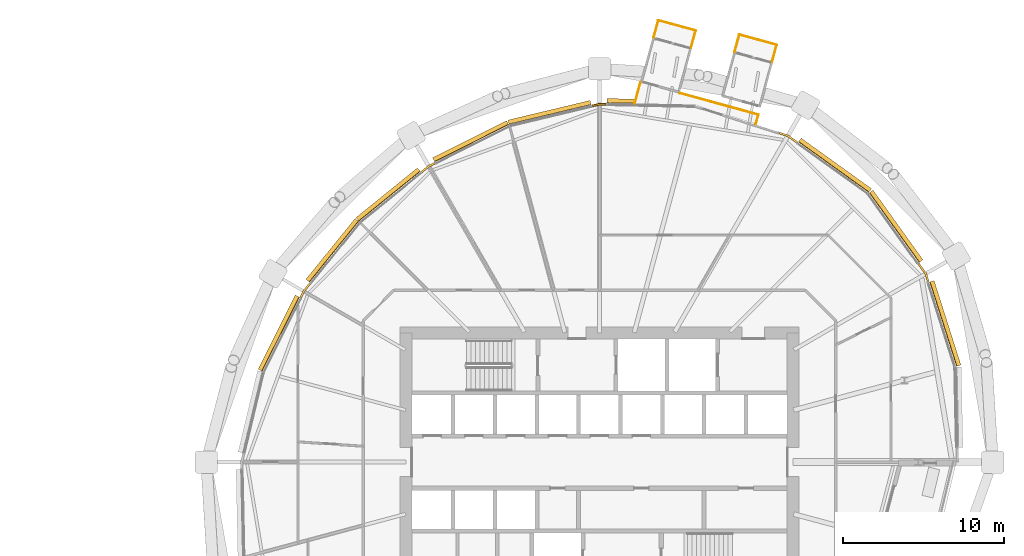
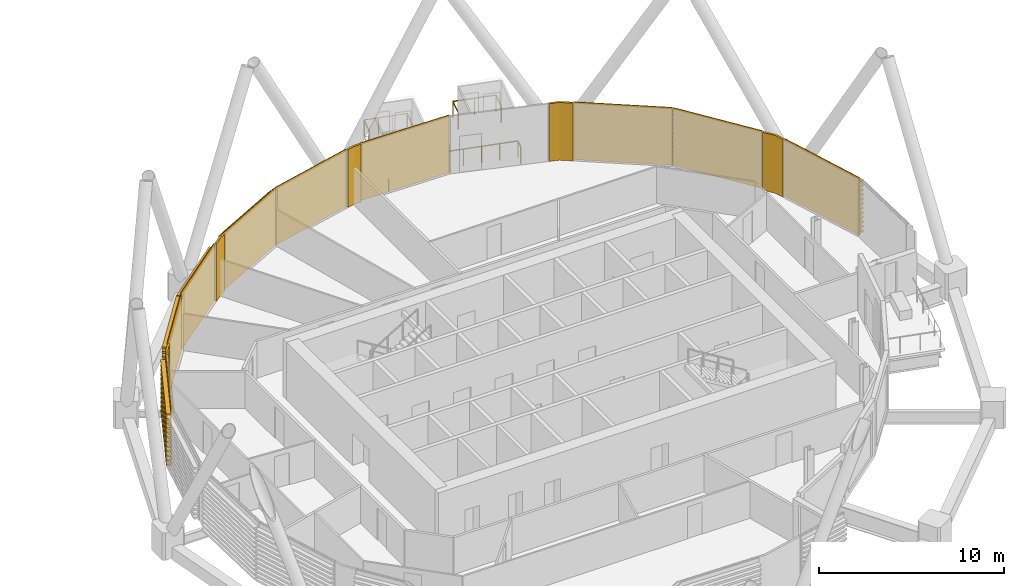
# One storey, part 37 of 38: 14 coverings, 9 railings.
"""IFC4 building model written with IfcOpenShell, lengths in metres."""

import ifcopenshell
import ifcopenshell.guid

model = None  # the IFC model being written
_history = None  # IfcOwnerHistory: only IFC2X3 demands one
_inside = {}  # id of a spatial element -> (the spatial element, [elements in it])
_under = {}  # id of a project, library or spatial element -> (it, [spatial elements below it])
_declared = {}  # id of a project -> (the project, [libraries it declares])
_typed = {}  # id of a type object -> (the type object, [elements of that type])
_made_of = {}  # id of a material, layer set ... -> (it, [elements and type objects made of it])


def new_model(schema):
    """Start an empty IFC model of exactly this schema.

    Asked for "IFC4X3", IfcOpenShell would pick the latest addendum, in which some entities
    have other attributes; the version numbers below select the first issue.
    IFC2X3 requires an IfcOwnerHistory on every rooted entity: one is made here for all.
    """
    global model, _history
    if schema == "IFC4X3":
        model = ifcopenshell.file(schema_version=(4, 3, 0, 0))
    else:
        model = ifcopenshell.file(schema=schema)
    _inside.clear()
    _under.clear()
    _declared.clear()
    _typed.clear()
    _made_of.clear()
    _history = None
    if model.schema == "IFC2X3":
        org = make("IfcOrganization", Name="unknown")
        user = make(
            "IfcPersonAndOrganization",
            ThePerson=make("IfcPerson", FamilyName="unknown"),
            TheOrganization=org,
        )
        app = make(
            "IfcApplication",
            ApplicationDeveloper=org,
            Version="unknown",
            ApplicationFullName="unknown",
            ApplicationIdentifier="unknown",
        )
        _history = make(
            "IfcOwnerHistory",
            OwningUser=user,
            OwningApplication=app,
            ChangeAction="ADDED",
            CreationDate=0,
        )
    return model


def make(cls, **values):
    """One entity of the class cls with the attributes given. An attribute that is None is left unset."""
    return model.create_entity(
        cls, **{name: value for name, value in values.items() if value is not None}
    )


def rooted(cls, **values):
    """An entity with a GlobalId (a new one), such as an element, a storey or a relation."""
    return make(cls, GlobalId=ifcopenshell.guid.new(), OwnerHistory=_history, **values)


def si_unit(unit_type, name, prefix=None):
    """IfcSIUnit, for example si_unit("LENGTHUNIT", "METRE", prefix="MILLI")."""
    return make("IfcSIUnit", UnitType=unit_type, Prefix=prefix, Name=name)


def assignment(units):
    """IfcUnitAssignment: the units of a project."""
    return None if units is None else make("IfcUnitAssignment", Units=units)


def point(xyz):
    """IfcCartesianPoint."""
    return None if xyz is None else make("IfcCartesianPoint", Coordinates=xyz)


def direction(xyz):
    """IfcDirection."""
    return None if xyz is None else make("IfcDirection", DirectionRatios=xyz)


def frame(location, z_axis=None, x_axis=None):
    """IfcAxis2Placement3D, a coordinate frame: its origin and axes. An axis left out is left unset."""
    return make(
        "IfcAxis2Placement3D",
        Location=point(location),
        Axis=direction(z_axis),
        RefDirection=direction(x_axis),
    )


def frame_2d(location, x_axis=None):
    """IfcAxis2Placement2D, a coordinate frame in the plane: its origin and x axis."""
    return make(
        "IfcAxis2Placement2D", Location=point(location), RefDirection=direction(x_axis)
    )


def origin():
    """The frame at (0, 0, 0) with its axes left unset."""
    return frame((0.0, 0.0, 0.0))


def origin_2d():
    """The frame at (0, 0) in the plane with its x axis left unset."""
    return frame_2d((0.0, 0.0))


def place(relative_to, where):
    """IfcLocalPlacement: puts the frame where relative to a parent placement (None: the world)."""
    return make(
        "IfcLocalPlacement", PlacementRelTo=relative_to, RelativePlacement=where
    )


def context(
    kind, dimensions, precision=None, world=None, true_north=None, identifier=None
):
    """IfcGeometricRepresentationContext, for example the 3D "Model" context."""
    return make(
        "IfcGeometricRepresentationContext",
        ContextIdentifier=identifier,
        ContextType=kind,
        CoordinateSpaceDimension=dimensions,
        Precision=precision,
        WorldCoordinateSystem=world,
        TrueNorth=true_north,
    )


def subcontext(parent, identifier, kind, view, scale=None):
    """IfcGeometricRepresentationSubContext, for example "Body" below "Model"."""
    return make(
        "IfcGeometricRepresentationSubContext",
        ContextIdentifier=identifier,
        ContextType=kind,
        ParentContext=parent,
        TargetScale=scale,
        TargetView=view,
    )


def project(units=None, contexts=None):
    """IfcProject with its units and contexts."""
    return rooted(
        "IfcProject",
        Name="project",
        RepresentationContexts=contexts,
        UnitsInContext=assignment(units),
    )


def spatial(cls, under=None, at=None, **own):
    """A site, building, storey or space (cls), placed at a placement, below another one or the project."""
    s = rooted(cls, ObjectPlacement=at, **own)
    if under is not None:
        _under.setdefault(under.id(), (under, []))[1].append(s)
    return s


def polyline(points):
    """IfcPolyline through the points."""
    return make("IfcPolyline", Points=[point(p) for p in points])


def profile(cls, at=None, kind="AREA", **sizes):
    """A parametric profile (cls). Its sizes go by their IFC names, for example OverallWidth=200.0."""
    return make(cls, ProfileType=kind, Position=at, **sizes)


def circle(**sizes):
    """IfcCircleProfileDef."""
    return profile("IfcCircleProfileDef", **sizes)


def outline(outer, holes=None, kind="AREA"):
    """IfcArbitraryClosedProfileDef: a profile drawn as a closed curve; with holes, ...WithVoids."""
    if holes is None:
        return make("IfcArbitraryClosedProfileDef", ProfileType=kind, OuterCurve=outer)
    return make(
        "IfcArbitraryProfileDefWithVoids",
        ProfileType=kind,
        OuterCurve=outer,
        InnerCurves=holes,
    )


def extrude(swept, where, along, depth):
    """IfcExtrudedAreaSolid: the profile swept, set in the frame where, extruded along a direction by depth."""
    return make(
        "IfcExtrudedAreaSolid",
        SweptArea=swept,
        Position=where,
        ExtrudedDirection=direction(along),
        Depth=depth,
    )


def shape(context_of_items, identifier, shape_type, items):
    """IfcShapeRepresentation: the items that make up one representation, for example the "Body"."""
    return make(
        "IfcShapeRepresentation",
        ContextOfItems=context_of_items,
        RepresentationIdentifier=identifier,
        RepresentationType=shape_type,
        Items=items,
    )


def material(Name=None, Category=None):
    """IfcMaterial."""
    return make("IfcMaterial", Name=Name, Category=Category)


def layer(
    of_material, thickness, ventilated=None, Name=None, Category=None, Priority=None
):
    """IfcMaterialLayer: one layer of a wall or slab, of a material (None: an air gap)."""
    return make(
        "IfcMaterialLayer",
        Material=of_material,
        LayerThickness=thickness,
        IsVentilated=ventilated,
        Name=Name,
        Category=Category,
        Priority=Priority,
    )


def layer_set(layers, Name=None):
    """IfcMaterialLayerSet."""
    return make("IfcMaterialLayerSet", MaterialLayers=layers, LayerSetName=Name)


def material_profile(
    of_material, cross_section, Name=None, Category=None, Priority=None
):
    """IfcMaterialProfile: a cross section and its material."""
    return make(
        "IfcMaterialProfile",
        Name=Name,
        Material=of_material,
        Profile=cross_section,
        Priority=Priority,
        Category=Category,
    )


def profile_set(profiles, Name=None, composite=None):
    """IfcMaterialProfileSet."""
    return make(
        "IfcMaterialProfileSet",
        Name=Name,
        MaterialProfiles=profiles,
        CompositeProfile=composite,
    )


def made_of(thing, what):
    """Note that an element or type object is made of a material, layer set ...; save() writes the relation."""
    if what is not None:
        _made_of.setdefault(what.id(), (what, []))[1].append(thing)
    return thing


def type_object(cls, material=None, **own):
    """A type object (cls), such as IfcWallType, which elements share."""
    return made_of(rooted(cls, **own), material)


def element(
    cls,
    number,
    at=None,
    inside=None,
    cuts=None,
    type_object=None,
    material=None,
    context=None,
    identifier="Body",
    shape_type=None,
    held_by="IfcProductDefinitionShape",
    body=None,
    shapes=None,
    **own,
):
    """One element of the class cls, such as IfcWall. Its Tag is "e" and its number.

    at: its placement. inside: the storey or other place that contains it. cuts: it is an
    opening in that element (IfcRelVoidsElement). A single representation is given by context,
    identifier, shape_type and body (its items); several are given by shapes. held_by: the class
    of the entity that holds the representations. save() writes the other relations.
    """
    e = rooted(cls, Tag="e%d" % number, ObjectPlacement=at, **own)
    if body is not None:
        shapes = [shape(context, identifier, shape_type, body)]
    if shapes is not None:
        e.Representation = make(held_by, Representations=shapes)
    if inside is not None:
        _inside.setdefault(inside.id(), (inside, []))[1].append(e)
    if cuts is not None:
        rooted(
            "IfcRelVoidsElement", RelatingBuildingElement=cuts, RelatedOpeningElement=e
        )
    if type_object is not None:
        _typed.setdefault(type_object.id(), (type_object, []))[1].append(e)
    return made_of(e, material)


def aggregate(whole, parts):
    """IfcRelAggregates: a whole, such as a stair, and the parts it consists of."""
    return rooted("IfcRelAggregates", RelatingObject=whole, RelatedObjects=parts)


def save(model, path):
    """Write the relations noted so far, then the file.

    IfcRelAggregates (storeys below a building ...), IfcRelContainedInSpatialStructure (elements
    in a storey), IfcRelDefinesByType, IfcRelAssociatesMaterial and IfcRelDeclares: one each for
    every whole, place, type object, material and project.
    """
    for whole, parts in _under.values():
        aggregate(whole, parts)
    for where, things in _inside.values():
        rooted(
            "IfcRelContainedInSpatialStructure",
            RelatedElements=things,
            RelatingStructure=where,
        )
    for kind, things in _typed.values():
        rooted("IfcRelDefinesByType", RelatedObjects=things, RelatingType=kind)
    for what, things in _made_of.values():
        rooted("IfcRelAssociatesMaterial", RelatedObjects=things, RelatingMaterial=what)
    for by, libraries in _declared.values():
        rooted("IfcRelDeclares", RelatingContext=by, RelatedDefinitions=libraries)
    model.write(path)


model = new_model("IFC4")

# Units and contexts
model_context = context("Model", 3, precision=1e-05, world=origin(), true_north=direction((0.0, 1.0)))
body_context = subcontext(model_context, "Body", "Model", "MODEL_VIEW")
ifc_project = project(units=[si_unit("LENGTHUNIT", "METRE"), si_unit("AREAUNIT", "SQUARE_METRE"), si_unit("VOLUMEUNIT", "CUBIC_METRE"), si_unit("PLANEANGLEUNIT", "RADIAN"), si_unit("MASSUNIT", "GRAM", prefix="KILO")], contexts=[model_context])

# Site, building, storey
site_placement = place(None, origin())
site = spatial("IfcSite", under=ifc_project, at=site_placement, CompositionType="ELEMENT")
building_placement = place(site_placement, origin())
building = spatial("IfcBuilding", under=site, at=building_placement, Name="Rimbun Link Towers", CompositionType="ELEMENT")
storey_placement = place(building_placement, frame((0.0, 0.0, 93.0)))
storey = spatial("IfcBuildingStorey", under=building, at=storey_placement, Name="L22", CompositionType="ELEMENT", Elevation=93.0)

# Railings
ifc_material_1 = material(Name="Stainless steel grade 316", Category="steel")
railing_type = type_object("IfcRailingType", Name="GUARD stainless rail and posts", PredefinedType="GUARDRAIL", material=ifc_material_1)
railing_1_placement = place(storey_placement, frame((37.418212890625, 25.691162109375, 0.0)))
element("IfcRailing", 1, at=railing_1_placement, inside=storey, type_object=railing_type, Name="GUARD D222.01 balcony", PredefinedType="GUARDRAIL", context=body_context, shape_type="SweptSolid", body=[
    extrude(circle(Radius=0.02392578125, at=origin_2d()), frame((0.0, 0.0, 1.076171875), z_axis=(0.26497594841, 0.964255021643, 0.0), x_axis=(-0.964255021643, 0.26497594841, 0.0)), (0.0, 0.0, 1.0), 1.10009765625),
    extrude(circle(Radius=0.02099609375, at=origin_2d()), origin(), (0.0, 0.0, 1.0), 1.052001953125),
    extrude(circle(Radius=0.02099609375, at=origin_2d()), frame((0.29150390625, 1.060791015625, 0.0)), (0.0, 0.0, 1.0), 1.052001953125),
])
railing_2_placement = place(storey_placement, frame((37.709716796875, 26.751953125, 0.0)))
element("IfcRailing", 2, at=railing_2_placement, inside=storey, type_object=railing_type, Name="GUARD D222.01 balcony", PredefinedType="GUARDRAIL", context=body_context, shape_type="SweptSolid", body=[
    extrude(circle(Radius=0.02392578125, at=origin_2d()), frame((0.0, 0.0, 1.076171875), z_axis=(-0.964283368095, 0.264872773262, 0.0), x_axis=(-0.264872773262, -0.964283368095, 0.0)), (0.0, 0.0, 1.0), 2.400146484375),
    extrude(circle(Radius=0.02099609375, at=origin_2d()), origin(), (0.0, 0.0, 1.0), 1.052001953125),
    extrude(circle(Radius=0.02099609375, at=origin_2d()), frame((-0.771484375, 0.2119140625, 0.0)), (0.0, 0.0, 1.0), 1.052001953125),
    extrude(circle(Radius=0.02099609375, at=origin_2d()), frame((-1.54296875, 0.423828125, 0.0)), (0.0, 0.0, 1.0), 1.052001953125),
    extrude(circle(Radius=0.02099609375, at=origin_2d()), frame((-2.314453125, 0.6357421875, 0.0)), (0.0, 0.0, 1.0), 1.052001953125),
])
railing_3_placement = place(storey_placement, frame((35.395263671875, 27.3876953125, 0.0)))
element("IfcRailing", 3, at=railing_3_placement, inside=storey, type_object=railing_type, Name="GUARD D222.01 balcony", PredefinedType="GUARDRAIL", context=body_context, shape_type="SweptSolid", body=[
    extrude(circle(Radius=0.02392578125, at=origin_2d()), frame((0.0, 0.0, 1.076171875), z_axis=(-0.264769589015, -0.964311705173, 0.0), x_axis=(0.964311705173, -0.264769589015, 0.0)), (0.0, 0.0, 1.0), 1.10009765625),
    extrude(circle(Radius=0.02099609375, at=origin_2d()), origin(), (0.0, 0.0, 1.0), 1.052001953125),
    extrude(circle(Radius=0.02099609375, at=origin_2d()), frame((-0.291259765625, -1.060791015625, 0.0)), (0.0, 0.0, 1.0), 1.052001953125),
])
railing_4_placement = place(storey_placement, frame((42.440673828125, 24.8046875, 0.0)))
element("IfcRailing", 4, at=railing_4_placement, inside=storey, type_object=railing_type, Name="GUARD D222.02 balcony", PredefinedType="GUARDRAIL", context=body_context, shape_type="SweptSolid", body=[
    extrude(circle(Radius=0.02392578125, at=origin_2d()), frame((0.0, 0.0, 1.076171875), z_axis=(0.264826265466, 0.964296141815, 0.0), x_axis=(-0.964296141815, 0.264826265466, 0.0)), (0.0, 0.0, 1.0), 1.099853515625),
    extrude(circle(Radius=0.02099609375, at=origin_2d()), origin(), (0.0, 0.0, 1.0), 1.052001953125),
    extrude(circle(Radius=0.02099609375, at=origin_2d()), frame((0.291259765625, 1.060546875, 0.0)), (0.0, 0.0, 1.0), 1.052001953125),
])
railing_5_placement = place(storey_placement, frame((42.73193359375, 25.865234375, 0.0)))
element("IfcRailing", 5, at=railing_5_placement, inside=storey, type_object=railing_type, Name="GUARD D222.02 balcony", PredefinedType="GUARDRAIL", context=body_context, shape_type="SweptSolid", body=[
    extrude(circle(Radius=0.02392578125, at=origin_2d()), frame((0.0, 0.0, 1.076171875), z_axis=(-0.96427623078, 0.264898755665, 0.0), x_axis=(-0.264898755665, -0.96427623078, 0.0)), (0.0, 0.0, 1.0), 2.39990234375),
    extrude(circle(Radius=0.02099609375, at=origin_2d()), origin(), (0.0, 0.0, 1.0), 1.052001953125),
    extrude(circle(Radius=0.02099609375, at=origin_2d()), frame((-1.1572265625, 0.31787109375, 0.0)), (0.0, 0.0, 1.0), 1.052001953125),
    extrude(circle(Radius=0.02099609375, at=origin_2d()), frame((-2.314208984375, 0.6357421875, 0.0)), (0.0, 0.0, 1.0), 1.052001953125),
])
railing_6_placement = place(storey_placement, frame((40.417724609375, 26.5009765625, 0.0)))
element("IfcRailing", 6, at=railing_6_placement, inside=storey, type_object=railing_type, Name="GUARD D222.02 balcony", PredefinedType="GUARDRAIL", context=body_context, shape_type="SweptSolid", body=[
    extrude(circle(Radius=0.02392578125, at=origin_2d()), frame((0.0, 0.0, 1.076171875), z_axis=(-0.264769589015, -0.964311705173, 0.0), x_axis=(0.964311705173, -0.264769589015, 0.0)), (0.0, 0.0, 1.0), 1.10009765625),
    extrude(circle(Radius=0.02099609375, at=origin_2d()), origin(), (0.0, 0.0, 1.0), 1.052001953125),
    extrude(circle(Radius=0.02099609375, at=origin_2d()), frame((-0.291259765625, -1.060791015625, 0.0)), (0.0, 0.0, 1.0), 1.052001953125),
])
railing_7_placement = place(storey_placement, frame((34.28759765625, 23.543701171875, 0.0)))
element("IfcRailing", 7, at=railing_7_placement, inside=storey, type_object=railing_type, Name="GUARD D222 gallery", PredefinedType="GUARDRAIL", context=body_context, shape_type="SweptSolid", body=[
    extrude(circle(Radius=0.02392578125, at=origin_2d()), frame((0.0, 0.0, 1.076171875), z_axis=(-0.264756229675, -0.964315373126, 0.0), x_axis=(0.964315373126, -0.264756229675, 0.0)), (0.0, 0.0, 1.0), 1.361083984375),
    extrude(circle(Radius=0.02099609375, at=origin_2d()), origin(), (0.0, 0.0, 1.0), 1.052001953125),
    extrude(circle(Radius=0.02099609375, at=origin_2d()), frame((-0.18017578125, -0.65625, 0.0)), (0.0, 0.0, 1.0), 1.052001953125),
    extrude(circle(Radius=0.02099609375, at=origin_2d()), frame((-0.3603515625, -1.3125, 0.0)), (0.0, 0.0, 1.0), 1.052001953125),
])
railing_8_placement = place(storey_placement, frame((41.594970703125, 21.53662109375, 0.0)))
element("IfcRailing", 8, at=railing_8_placement, inside=storey, type_object=railing_type, Name="GUARD D222 gallery", PredefinedType="GUARDRAIL", context=body_context, shape_type="SweptSolid", body=[
    extrude(circle(Radius=0.02392578125, at=origin_2d()), frame((0.0, 0.0, 1.076171875), z_axis=(-0.265137666453, -0.964210567162, 0.0), x_axis=(0.964210567162, -0.265137666453, 0.0)), (0.0, 0.0, 1.0), 0.60302734375),
    extrude(circle(Radius=0.02099609375, at=origin_2d()), origin(), (0.0, 0.0, 1.0), 1.052001953125),
    extrude(circle(Radius=0.02099609375, at=origin_2d()), frame((-0.159912109375, -0.58154296875, 0.0)), (0.0, 0.0, 1.0), 1.052001953125),
])
railing_9_placement = place(storey_placement, frame((36.727294921875, 22.87353515625, 0.0)))
element("IfcRailing", 9, at=railing_9_placement, inside=storey, type_object=railing_type, Name="GUARD D222 gallery", PredefinedType="GUARDRAIL", context=body_context, shape_type="SweptSolid", body=[
    extrude(circle(Radius=0.02392578125, at=origin_2d()), frame((0.0, 0.0, 1.076171875), z_axis=(0.96429127977, -0.264843968704, 0.0), x_axis=(0.264843968704, 0.96429127977, 0.0)), (0.0, 0.0, 1.0), 5.0478515625),
    extrude(circle(Radius=0.02099609375, at=origin_2d()), origin(), (0.0, 0.0, 1.0), 1.052001953125),
    extrude(circle(Radius=0.02099609375, at=origin_2d()), frame((0.9736328125, -0.267333984375, 0.0)), (0.0, 0.0, 1.0), 1.052001953125),
    extrude(circle(Radius=0.02099609375, at=origin_2d()), frame((1.947021484375, -0.53466796875, 0.0)), (0.0, 0.0, 1.0), 1.052001953125),
    extrude(circle(Radius=0.02099609375, at=origin_2d()), frame((2.920654296875, -0.80224609375, 0.0)), (0.0, 0.0, 1.0), 1.052001953125),
    extrude(circle(Radius=0.02099609375, at=origin_2d()), frame((3.89404296875, -1.069580078125, 0.0)), (0.0, 0.0, 1.0), 1.052001953125),
    extrude(circle(Radius=0.02099609375, at=origin_2d()), frame((4.86767578125, -1.3369140625, 0.0)), (0.0, 0.0, 1.0), 1.052001953125),
])

# Coverings
ifc_material_2 = material(Name="Terracotta", Category="masonry")
ifc_layer = layer(ifc_material_2, 0.1201171875)
ifc_layer_set = layer_set([ifc_layer], Name="LINK PIER terracotta cladding 120")
covering_type_1 = type_object("IfcCoveringType", Name="LINK PIER terracotta cladding 120", PredefinedType="CLADDING", material=ifc_layer_set)
covering_1_placement = place(storey_placement, origin())
element("IfcCovering", 10, at=covering_1_placement, inside=storey, type_object=covering_type_1, Name="LINK PIER cladding", PredefinedType="CLADDING", context=body_context, shape_type="SweptSolid", body=[
    extrude(outline(polyline([(42.855224609375, 20.34814453125), (43.398193359375, 20.175537109375), (43.9833984375, 19.755859375), (44.05322265625, 19.853271484375), (43.452880859375, 20.2841796875), (42.891357421875, 20.462646484375), (42.855224609375, 20.34814453125)])), origin(), (0.0, 0.0, 1.0), 3.800048828125),
])
covering_2_placement = place(storey_placement, origin())
element("IfcCovering", 11, at=covering_2_placement, inside=storey, type_object=covering_type_1, Name="LINK PIER cladding", PredefinedType="CLADDING", context=body_context, shape_type="SweptSolid", body=[
    extrude(outline(polyline([(31.29296875, 22.019775390625), (31.75, 22.12890625), (32.169921875, 22.1201171875), (32.17236328125, 22.240234375), (31.737060546875, 22.249267578125), (31.264892578125, 22.136474609375), (31.29296875, 22.019775390625)])), origin(), (0.0, 0.0, 1.0), 3.800048828125),
])
covering_3_placement = place(storey_placement, origin())
element("IfcCovering", 12, at=covering_3_placement, inside=storey, type_object=covering_type_1, Name="LINK PIER cladding", PredefinedType="CLADDING", context=body_context, shape_type="SweptSolid", body=[
    extrude(outline(polyline([(20.746337890625, 17.9326171875), (21.189453125, 18.291259765625), (21.56494140625, 18.479736328125), (21.510986328125, 18.5869140625), (21.1240234375, 18.392822265625), (20.6708984375, 18.02587890625), (20.746337890625, 17.9326171875)])), origin(), (0.0, 0.0, 1.0), 3.800048828125),
])
covering_4_placement = place(storey_placement, origin())
element("IfcCovering", 13, at=covering_4_placement, inside=storey, type_object=covering_type_1, Name="LINK PIER cladding", PredefinedType="CLADDING", context=body_context, shape_type="SweptSolid", body=[
    extrude(outline(polyline([(13.270263671875, 10.18505859375), (13.458740234375, 10.560546875), (13.848876953125, 11.04248046875), (13.755615234375, 11.117919921875), (13.357177734375, 10.6259765625), (13.1630859375, 10.239013671875), (13.270263671875, 10.18505859375)])), origin(), (0.0, 0.0, 1.0), 3.800048828125),
])
covering_5_placement = place(storey_placement, origin())
element("IfcCovering", 14, at=covering_5_placement, inside=storey, type_object=covering_type_1, Name="LINK PIER cladding", PredefinedType="CLADDING", context=body_context, shape_type="SweptSolid", body=[
    extrude(outline(polyline([(51.4765625, 12.27392578125), (51.925537109375, 11.648193359375), (52.0830078125, 11.15283203125), (52.197509765625, 11.189208984375), (52.0341796875, 11.702880859375), (51.573974609375, 12.34375), (51.4765625, 12.27392578125)])), origin(), (0.0, 0.0, 1.0), 3.800048828125),
])
ifc_material_3 = material(Name="Terracotta", Category="masonry")
ifc_material_profile = material_profile(ifc_material_3, outline(polyline([(0.123046875, 0.0), (0.1630859375, 0.0), (0.1630859375, 0.10009765625), (0.423095703125, 0.10009765625), (0.423095703125, 0.219970703125), (0.1630859375, 0.219970703125), (0.1630859375, 0.39990234375), (0.423095703125, 0.39990234375), (0.423095703125, 0.52001953125), (0.1630859375, 0.52001953125), (0.1630859375, 0.699951171875), (0.423095703125, 0.699951171875), (0.423095703125, 0.820068359375), (0.1630859375, 0.820068359375), (0.1630859375, 1.0), (0.423095703125, 1.0), (0.423095703125, 1.1201171875), (0.1630859375, 1.1201171875), (0.1630859375, 1.300048828125), (0.423095703125, 1.300048828125), (0.423095703125, 1.419921875), (0.1630859375, 1.419921875), (0.1630859375, 1.60009765625), (0.423095703125, 1.60009765625), (0.423095703125, 1.719970703125), (0.1630859375, 1.719970703125), (0.1630859375, 1.89990234375), (0.423095703125, 1.89990234375), (0.423095703125, 2.02001953125), (0.1630859375, 2.02001953125), (0.1630859375, 2.199951171875), (0.423095703125, 2.199951171875), (0.423095703125, 2.320068359375), (0.1630859375, 2.320068359375), (0.1630859375, 2.5), (0.423095703125, 2.5), (0.423095703125, 2.6201171875), (0.1630859375, 2.6201171875), (0.1630859375, 2.800048828125), (0.423095703125, 2.800048828125), (0.423095703125, 2.919921875), (0.1630859375, 2.919921875), (0.1630859375, 3.10009765625), (0.423095703125, 3.10009765625), (0.423095703125, 3.219970703125), (0.1630859375, 3.219970703125), (0.1630859375, 3.39990234375), (0.423095703125, 3.39990234375), (0.423095703125, 3.52001953125), (0.1630859375, 3.52001953125), (0.1630859375, 3.800048828125), (0.123046875, 3.800048828125), (0.123046875, 0.0)])), Name="BAGUETTE 120X300")
ifc_profile_set = profile_set([ifc_material_profile], Name="Terracotta")
covering_type_2 = type_object("IfcCoveringType", Name="TERRACOTTA BAGUETTE 120X300 H3800", PredefinedType="CLADDING", material=ifc_profile_set)
covering_6_placement = place(storey_placement, frame((44.007568359375, 19.73828125, 0.0), z_axis=(0.812479161919, -0.58299023272, 0.0), x_axis=(0.58299023272, 0.812479161919, 0.0)))
element("IfcCovering", 15, at=covering_6_placement, inside=storey, type_object=covering_type_2, Name="TERRACOTTA BAGUETTE", PredefinedType="CLADDING", context=body_context, shape_type="SweptSolid", body=[
    extrude(outline(polyline([(0.123046875, 0.0), (0.1630859375, 0.0), (0.1630859375, 0.10009765625), (0.423095703125, 0.10009765625), (0.423095703125, 0.219970703125), (0.1630859375, 0.219970703125), (0.1630859375, 0.39990234375), (0.423095703125, 0.39990234375), (0.423095703125, 0.52001953125), (0.1630859375, 0.52001953125), (0.1630859375, 0.699951171875), (0.423095703125, 0.699951171875), (0.423095703125, 0.820068359375), (0.1630859375, 0.820068359375), (0.1630859375, 1.0), (0.423095703125, 1.0), (0.423095703125, 1.1201171875), (0.1630859375, 1.1201171875), (0.1630859375, 1.300048828125), (0.423095703125, 1.300048828125), (0.423095703125, 1.419921875), (0.1630859375, 1.419921875), (0.1630859375, 1.60009765625), (0.423095703125, 1.60009765625), (0.423095703125, 1.719970703125), (0.1630859375, 1.719970703125), (0.1630859375, 1.89990234375), (0.423095703125, 1.89990234375), (0.423095703125, 2.02001953125), (0.1630859375, 2.02001953125), (0.1630859375, 2.199951171875), (0.423095703125, 2.199951171875), (0.423095703125, 2.320068359375), (0.1630859375, 2.320068359375), (0.1630859375, 2.5), (0.423095703125, 2.5), (0.423095703125, 2.6201171875), (0.1630859375, 2.6201171875), (0.1630859375, 2.800048828125), (0.423095703125, 2.800048828125), (0.423095703125, 2.919921875), (0.1630859375, 2.919921875), (0.1630859375, 3.10009765625), (0.423095703125, 3.10009765625), (0.423095703125, 3.219970703125), (0.1630859375, 3.219970703125), (0.1630859375, 3.39990234375), (0.423095703125, 3.39990234375), (0.423095703125, 3.52001953125), (0.1630859375, 3.52001953125), (0.1630859375, 3.800048828125), (0.123046875, 3.800048828125), (0.123046875, 0.0)])), origin(), (0.0, 0.0, 1.0), 5.360595703125),
])
covering_7_placement = place(storey_placement, frame((32.199951171875, 22.11962890625, 0.0), z_axis=(0.99977812933, -0.021064000394, 0.0), x_axis=(0.021064000394, 0.99977812933, 0.0)))
element("IfcCovering", 16, at=covering_7_placement, inside=storey, type_object=covering_type_2, Name="TERRACOTTA BAGUETTE", PredefinedType="CLADDING", context=body_context, shape_type="SweptSolid", body=[
    extrude(outline(polyline([(0.123046875, 0.0), (0.1630859375, 0.0), (0.1630859375, 0.10009765625), (0.423095703125, 0.10009765625), (0.423095703125, 0.219970703125), (0.1630859375, 0.219970703125), (0.1630859375, 0.39990234375), (0.423095703125, 0.39990234375), (0.423095703125, 0.52001953125), (0.1630859375, 0.52001953125), (0.1630859375, 0.699951171875), (0.423095703125, 0.699951171875), (0.423095703125, 0.820068359375), (0.1630859375, 0.820068359375), (0.1630859375, 1.0), (0.423095703125, 1.0), (0.423095703125, 1.1201171875), (0.1630859375, 1.1201171875), (0.1630859375, 1.300048828125), (0.423095703125, 1.300048828125), (0.423095703125, 1.419921875), (0.1630859375, 1.419921875), (0.1630859375, 1.60009765625), (0.423095703125, 1.60009765625), (0.423095703125, 1.719970703125), (0.1630859375, 1.719970703125), (0.1630859375, 1.89990234375), (0.423095703125, 1.89990234375), (0.423095703125, 2.02001953125), (0.1630859375, 2.02001953125), (0.1630859375, 2.199951171875), (0.423095703125, 2.199951171875), (0.423095703125, 2.320068359375), (0.1630859375, 2.320068359375), (0.1630859375, 2.5), (0.423095703125, 2.5), (0.423095703125, 2.6201171875), (0.1630859375, 2.6201171875), (0.1630859375, 2.800048828125), (0.423095703125, 2.800048828125), (0.423095703125, 2.919921875), (0.1630859375, 2.919921875), (0.1630859375, 3.10009765625), (0.423095703125, 3.10009765625), (0.423095703125, 3.219970703125), (0.1630859375, 3.219970703125), (0.1630859375, 3.39990234375), (0.423095703125, 3.39990234375), (0.423095703125, 3.52001953125), (0.1630859375, 3.52001953125), (0.1630859375, 3.800048828125), (0.123046875, 3.800048828125), (0.123046875, 0.0)])), origin(), (0.0, 0.0, 1.0), 5.447509765625),
])
covering_8_placement = place(storey_placement, frame((26.177490234375, 20.79638671875, 0.0), z_axis=(0.972576825564, 0.232581853068, 0.0), x_axis=(-0.232581853068, 0.972576825564, 0.0)))
element("IfcCovering", 17, at=covering_8_placement, inside=storey, type_object=covering_type_2, Name="TERRACOTTA BAGUETTE", PredefinedType="CLADDING", context=body_context, shape_type="SweptSolid", body=[
    extrude(outline(polyline([(0.123046875, 0.0), (0.1630859375, 0.0), (0.1630859375, 0.10009765625), (0.423095703125, 0.10009765625), (0.423095703125, 0.219970703125), (0.1630859375, 0.219970703125), (0.1630859375, 0.39990234375), (0.423095703125, 0.39990234375), (0.423095703125, 0.52001953125), (0.1630859375, 0.52001953125), (0.1630859375, 0.699951171875), (0.423095703125, 0.699951171875), (0.423095703125, 0.820068359375), (0.1630859375, 0.820068359375), (0.1630859375, 1.0), (0.423095703125, 1.0), (0.423095703125, 1.1201171875), (0.1630859375, 1.1201171875), (0.1630859375, 1.300048828125), (0.423095703125, 1.300048828125), (0.423095703125, 1.419921875), (0.1630859375, 1.419921875), (0.1630859375, 1.60009765625), (0.423095703125, 1.60009765625), (0.423095703125, 1.719970703125), (0.1630859375, 1.719970703125), (0.1630859375, 1.89990234375), (0.423095703125, 1.89990234375), (0.423095703125, 2.02001953125), (0.1630859375, 2.02001953125), (0.1630859375, 2.199951171875), (0.423095703125, 2.199951171875), (0.423095703125, 2.320068359375), (0.1630859375, 2.320068359375), (0.1630859375, 2.5), (0.423095703125, 2.5), (0.423095703125, 2.6201171875), (0.1630859375, 2.6201171875), (0.1630859375, 2.800048828125), (0.423095703125, 2.800048828125), (0.423095703125, 2.919921875), (0.1630859375, 2.919921875), (0.1630859375, 3.10009765625), (0.423095703125, 3.10009765625), (0.423095703125, 3.219970703125), (0.1630859375, 3.219970703125), (0.1630859375, 3.39990234375), (0.423095703125, 3.39990234375), (0.423095703125, 3.52001953125), (0.1630859375, 3.52001953125), (0.1630859375, 3.800048828125), (0.123046875, 3.800048828125), (0.123046875, 0.0)])), origin(), (0.0, 0.0, 1.0), 5.2294921875),
])
covering_9_placement = place(storey_placement, frame((21.591552734375, 18.4931640625, 0.0), z_axis=(0.893626522557, 0.448811361467, 0.0), x_axis=(-0.448811361467, 0.893626522557, 0.0)))
element("IfcCovering", 18, at=covering_9_placement, inside=storey, type_object=covering_type_2, Name="TERRACOTTA BAGUETTE", PredefinedType="CLADDING", context=body_context, shape_type="SweptSolid", body=[
    extrude(outline(polyline([(0.123046875, 0.0), (0.1630859375, 0.0), (0.1630859375, 0.10009765625), (0.423095703125, 0.10009765625), (0.423095703125, 0.219970703125), (0.1630859375, 0.219970703125), (0.1630859375, 0.39990234375), (0.423095703125, 0.39990234375), (0.423095703125, 0.52001953125), (0.1630859375, 0.52001953125), (0.1630859375, 0.699951171875), (0.423095703125, 0.699951171875), (0.423095703125, 0.820068359375), (0.1630859375, 0.820068359375), (0.1630859375, 1.0), (0.423095703125, 1.0), (0.423095703125, 1.1201171875), (0.1630859375, 1.1201171875), (0.1630859375, 1.300048828125), (0.423095703125, 1.300048828125), (0.423095703125, 1.419921875), (0.1630859375, 1.419921875), (0.1630859375, 1.60009765625), (0.423095703125, 1.60009765625), (0.423095703125, 1.719970703125), (0.1630859375, 1.719970703125), (0.1630859375, 1.89990234375), (0.423095703125, 1.89990234375), (0.423095703125, 2.02001953125), (0.1630859375, 2.02001953125), (0.1630859375, 2.199951171875), (0.423095703125, 2.199951171875), (0.423095703125, 2.320068359375), (0.1630859375, 2.320068359375), (0.1630859375, 2.5), (0.423095703125, 2.5), (0.423095703125, 2.6201171875), (0.1630859375, 2.6201171875), (0.1630859375, 2.800048828125), (0.423095703125, 2.800048828125), (0.423095703125, 2.919921875), (0.1630859375, 2.919921875), (0.1630859375, 3.10009765625), (0.423095703125, 3.10009765625), (0.423095703125, 3.219970703125), (0.1630859375, 3.219970703125), (0.1630859375, 3.39990234375), (0.423095703125, 3.39990234375), (0.423095703125, 3.52001953125), (0.1630859375, 3.52001953125), (0.1630859375, 3.800048828125), (0.123046875, 3.800048828125), (0.123046875, 0.0)])), origin(), (0.0, 0.0, 1.0), 5.1318359375),
])
covering_10_placement = place(storey_placement, frame((16.9169921875, 14.8330078125, 0.0), z_axis=(0.777280862566, 0.629153765537, 0.0), x_axis=(-0.629153765537, 0.777280862566, 0.0)))
element("IfcCovering", 19, at=covering_10_placement, inside=storey, type_object=covering_type_2, Name="TERRACOTTA BAGUETTE", PredefinedType="CLADDING", context=body_context, shape_type="SweptSolid", body=[
    extrude(outline(polyline([(0.123046875, 0.0), (0.1630859375, 0.0), (0.1630859375, 0.10009765625), (0.423095703125, 0.10009765625), (0.423095703125, 0.219970703125), (0.1630859375, 0.219970703125), (0.1630859375, 0.39990234375), (0.423095703125, 0.39990234375), (0.423095703125, 0.52001953125), (0.1630859375, 0.52001953125), (0.1630859375, 0.699951171875), (0.423095703125, 0.699951171875), (0.423095703125, 0.820068359375), (0.1630859375, 0.820068359375), (0.1630859375, 1.0), (0.423095703125, 1.0), (0.423095703125, 1.1201171875), (0.1630859375, 1.1201171875), (0.1630859375, 1.300048828125), (0.423095703125, 1.300048828125), (0.423095703125, 1.419921875), (0.1630859375, 1.419921875), (0.1630859375, 1.60009765625), (0.423095703125, 1.60009765625), (0.423095703125, 1.719970703125), (0.1630859375, 1.719970703125), (0.1630859375, 1.89990234375), (0.423095703125, 1.89990234375), (0.423095703125, 2.02001953125), (0.1630859375, 2.02001953125), (0.1630859375, 2.199951171875), (0.423095703125, 2.199951171875), (0.423095703125, 2.320068359375), (0.1630859375, 2.320068359375), (0.1630859375, 2.5), (0.423095703125, 2.5), (0.423095703125, 2.6201171875), (0.1630859375, 2.6201171875), (0.1630859375, 2.800048828125), (0.423095703125, 2.800048828125), (0.423095703125, 2.919921875), (0.1630859375, 2.919921875), (0.1630859375, 3.10009765625), (0.423095703125, 3.10009765625), (0.423095703125, 3.219970703125), (0.1630859375, 3.219970703125), (0.1630859375, 3.39990234375), (0.423095703125, 3.39990234375), (0.423095703125, 3.52001953125), (0.1630859375, 3.52001953125), (0.1630859375, 3.800048828125), (0.123046875, 3.800048828125), (0.123046875, 0.0)])), origin(), (0.0, 0.0, 1.0), 4.896728515625),
])
covering_11_placement = place(storey_placement, frame((13.86767578125, 11.065673828125, 0.0), z_axis=(0.629144612184, 0.777288271467, 0.0), x_axis=(-0.777288271467, 0.629144612184, 0.0)))
element("IfcCovering", 20, at=covering_11_placement, inside=storey, type_object=covering_type_2, Name="TERRACOTTA BAGUETTE", PredefinedType="CLADDING", context=body_context, shape_type="SweptSolid", body=[
    extrude(outline(polyline([(0.123046875, 0.0), (0.1630859375, 0.0), (0.1630859375, 0.10009765625), (0.423095703125, 0.10009765625), (0.423095703125, 0.219970703125), (0.1630859375, 0.219970703125), (0.1630859375, 0.39990234375), (0.423095703125, 0.39990234375), (0.423095703125, 0.52001953125), (0.1630859375, 0.52001953125), (0.1630859375, 0.699951171875), (0.423095703125, 0.699951171875), (0.423095703125, 0.820068359375), (0.1630859375, 0.820068359375), (0.1630859375, 1.0), (0.423095703125, 1.0), (0.423095703125, 1.1201171875), (0.1630859375, 1.1201171875), (0.1630859375, 1.300048828125), (0.423095703125, 1.300048828125), (0.423095703125, 1.419921875), (0.1630859375, 1.419921875), (0.1630859375, 1.60009765625), (0.423095703125, 1.60009765625), (0.423095703125, 1.719970703125), (0.1630859375, 1.719970703125), (0.1630859375, 1.89990234375), (0.423095703125, 1.89990234375), (0.423095703125, 2.02001953125), (0.1630859375, 2.02001953125), (0.1630859375, 2.199951171875), (0.423095703125, 2.199951171875), (0.423095703125, 2.320068359375), (0.1630859375, 2.320068359375), (0.1630859375, 2.5), (0.423095703125, 2.5), (0.423095703125, 2.6201171875), (0.1630859375, 2.6201171875), (0.1630859375, 2.800048828125), (0.423095703125, 2.800048828125), (0.423095703125, 2.919921875), (0.1630859375, 2.919921875), (0.1630859375, 3.10009765625), (0.423095703125, 3.10009765625), (0.423095703125, 3.219970703125), (0.1630859375, 3.219970703125), (0.1630859375, 3.39990234375), (0.423095703125, 3.39990234375), (0.423095703125, 3.52001953125), (0.1630859375, 3.52001953125), (0.1630859375, 3.800048828125), (0.123046875, 3.800048828125), (0.123046875, 0.0)])), origin(), (0.0, 0.0, 1.0), 4.8466796875),
])
covering_12_placement = place(storey_placement, frame((10.95361328125, 5.572509765625, 0.0), z_axis=(0.448811361467, 0.893626522557, 0.0), x_axis=(-0.893626522557, 0.448811361467, 0.0)))
element("IfcCovering", 21, at=covering_12_placement, inside=storey, type_object=covering_type_2, Name="TERRACOTTA BAGUETTE", PredefinedType="CLADDING", context=body_context, shape_type="SweptSolid", body=[
    extrude(outline(polyline([(0.123046875, 0.0), (0.1630859375, 0.0), (0.1630859375, 0.10009765625), (0.423095703125, 0.10009765625), (0.423095703125, 0.219970703125), (0.1630859375, 0.219970703125), (0.1630859375, 0.39990234375), (0.423095703125, 0.39990234375), (0.423095703125, 0.52001953125), (0.1630859375, 0.52001953125), (0.1630859375, 0.699951171875), (0.423095703125, 0.699951171875), (0.423095703125, 0.820068359375), (0.1630859375, 0.820068359375), (0.1630859375, 1.0), (0.423095703125, 1.0), (0.423095703125, 1.1201171875), (0.1630859375, 1.1201171875), (0.1630859375, 1.300048828125), (0.423095703125, 1.300048828125), (0.423095703125, 1.419921875), (0.1630859375, 1.419921875), (0.1630859375, 1.60009765625), (0.423095703125, 1.60009765625), (0.423095703125, 1.719970703125), (0.1630859375, 1.719970703125), (0.1630859375, 1.89990234375), (0.423095703125, 1.89990234375), (0.423095703125, 2.02001953125), (0.1630859375, 2.02001953125), (0.1630859375, 2.199951171875), (0.423095703125, 2.199951171875), (0.423095703125, 2.320068359375), (0.1630859375, 2.320068359375), (0.1630859375, 2.5), (0.423095703125, 2.5), (0.423095703125, 2.6201171875), (0.1630859375, 2.6201171875), (0.1630859375, 2.800048828125), (0.423095703125, 2.800048828125), (0.423095703125, 2.919921875), (0.1630859375, 2.919921875), (0.1630859375, 3.10009765625), (0.423095703125, 3.10009765625), (0.423095703125, 3.219970703125), (0.1630859375, 3.219970703125), (0.1630859375, 3.39990234375), (0.423095703125, 3.39990234375), (0.423095703125, 3.52001953125), (0.1630859375, 3.52001953125), (0.1630859375, 3.800048828125), (0.123046875, 3.800048828125), (0.123046875, 0.0)])), origin(), (0.0, 0.0, 1.0), 5.1318359375),
])
covering_13_placement = place(storey_placement, frame((52.09228515625, 11.124267578125, 0.0), z_axis=(0.303060378287, -0.952971356921, 0.0), x_axis=(0.952971356921, 0.303060378287, 0.0)))
element("IfcCovering", 22, at=covering_13_placement, inside=storey, type_object=covering_type_2, Name="TERRACOTTA BAGUETTE", PredefinedType="CLADDING", context=body_context, shape_type="SweptSolid", body=[
    extrude(outline(polyline([(0.123046875, 0.0), (0.1630859375, 0.0), (0.1630859375, 0.10009765625), (0.423095703125, 0.10009765625), (0.423095703125, 0.219970703125), (0.1630859375, 0.219970703125), (0.1630859375, 0.39990234375), (0.423095703125, 0.39990234375), (0.423095703125, 0.52001953125), (0.1630859375, 0.52001953125), (0.1630859375, 0.699951171875), (0.423095703125, 0.699951171875), (0.423095703125, 0.820068359375), (0.1630859375, 0.820068359375), (0.1630859375, 1.0), (0.423095703125, 1.0), (0.423095703125, 1.1201171875), (0.1630859375, 1.1201171875), (0.1630859375, 1.300048828125), (0.423095703125, 1.300048828125), (0.423095703125, 1.419921875), (0.1630859375, 1.419921875), (0.1630859375, 1.60009765625), (0.423095703125, 1.60009765625), (0.423095703125, 1.719970703125), (0.1630859375, 1.719970703125), (0.1630859375, 1.89990234375), (0.423095703125, 1.89990234375), (0.423095703125, 2.02001953125), (0.1630859375, 2.02001953125), (0.1630859375, 2.199951171875), (0.423095703125, 2.199951171875), (0.423095703125, 2.320068359375), (0.1630859375, 2.320068359375), (0.1630859375, 2.5), (0.423095703125, 2.5), (0.423095703125, 2.6201171875), (0.1630859375, 2.6201171875), (0.1630859375, 2.800048828125), (0.423095703125, 2.800048828125), (0.423095703125, 2.919921875), (0.1630859375, 2.919921875), (0.1630859375, 3.10009765625), (0.423095703125, 3.10009765625), (0.423095703125, 3.219970703125), (0.1630859375, 3.219970703125), (0.1630859375, 3.39990234375), (0.423095703125, 3.39990234375), (0.423095703125, 3.52001953125), (0.1630859375, 3.52001953125), (0.1630859375, 3.800048828125), (0.123046875, 3.800048828125), (0.123046875, 0.0)])), origin(), (0.0, 0.0, 1.0), 5.486083984375),
])
covering_14_placement = place(storey_placement, frame((48.363037109375, 16.613037109375, 0.0), z_axis=(0.582985073228, -0.812482864061, 0.0), x_axis=(0.812482864061, 0.582985073228, 0.0)))
element("IfcCovering", 23, at=covering_14_placement, inside=storey, type_object=covering_type_2, Name="TERRACOTTA BAGUETTE", PredefinedType="CLADDING", context=body_context, shape_type="SweptSolid", body=[
    extrude(outline(polyline([(0.123046875, 0.0), (0.1630859375, 0.0), (0.1630859375, 0.10009765625), (0.423095703125, 0.10009765625), (0.423095703125, 0.219970703125), (0.1630859375, 0.219970703125), (0.1630859375, 0.39990234375), (0.423095703125, 0.39990234375), (0.423095703125, 0.52001953125), (0.1630859375, 0.52001953125), (0.1630859375, 0.699951171875), (0.423095703125, 0.699951171875), (0.423095703125, 0.820068359375), (0.1630859375, 0.820068359375), (0.1630859375, 1.0), (0.423095703125, 1.0), (0.423095703125, 1.1201171875), (0.1630859375, 1.1201171875), (0.1630859375, 1.300048828125), (0.423095703125, 1.300048828125), (0.423095703125, 1.419921875), (0.1630859375, 1.419921875), (0.1630859375, 1.60009765625), (0.423095703125, 1.60009765625), (0.423095703125, 1.719970703125), (0.1630859375, 1.719970703125), (0.1630859375, 1.89990234375), (0.423095703125, 1.89990234375), (0.423095703125, 2.02001953125), (0.1630859375, 2.02001953125), (0.1630859375, 2.199951171875), (0.423095703125, 2.199951171875), (0.423095703125, 2.320068359375), (0.1630859375, 2.320068359375), (0.1630859375, 2.5), (0.423095703125, 2.5), (0.423095703125, 2.6201171875), (0.1630859375, 2.6201171875), (0.1630859375, 2.800048828125), (0.423095703125, 2.800048828125), (0.423095703125, 2.919921875), (0.1630859375, 2.919921875), (0.1630859375, 3.10009765625), (0.423095703125, 3.10009765625), (0.423095703125, 3.219970703125), (0.1630859375, 3.219970703125), (0.1630859375, 3.39990234375), (0.423095703125, 3.39990234375), (0.423095703125, 3.52001953125), (0.1630859375, 3.52001953125), (0.1630859375, 3.800048828125), (0.123046875, 3.800048828125), (0.123046875, 0.0)])), origin(), (0.0, 0.0, 1.0), 5.310546875),
])

save(model, "model.ifc")
